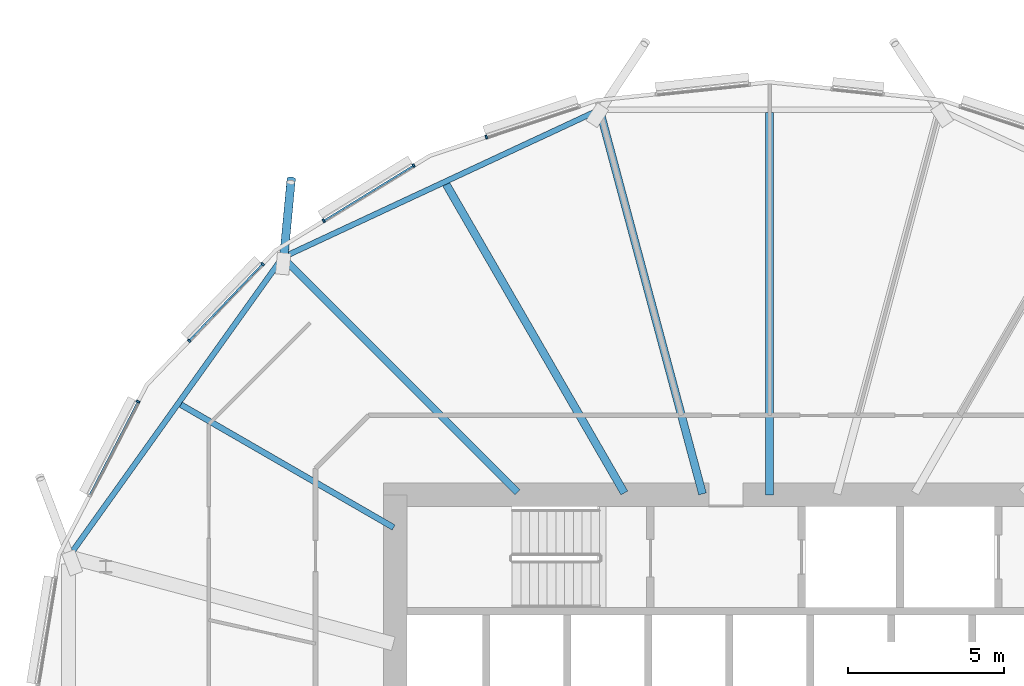
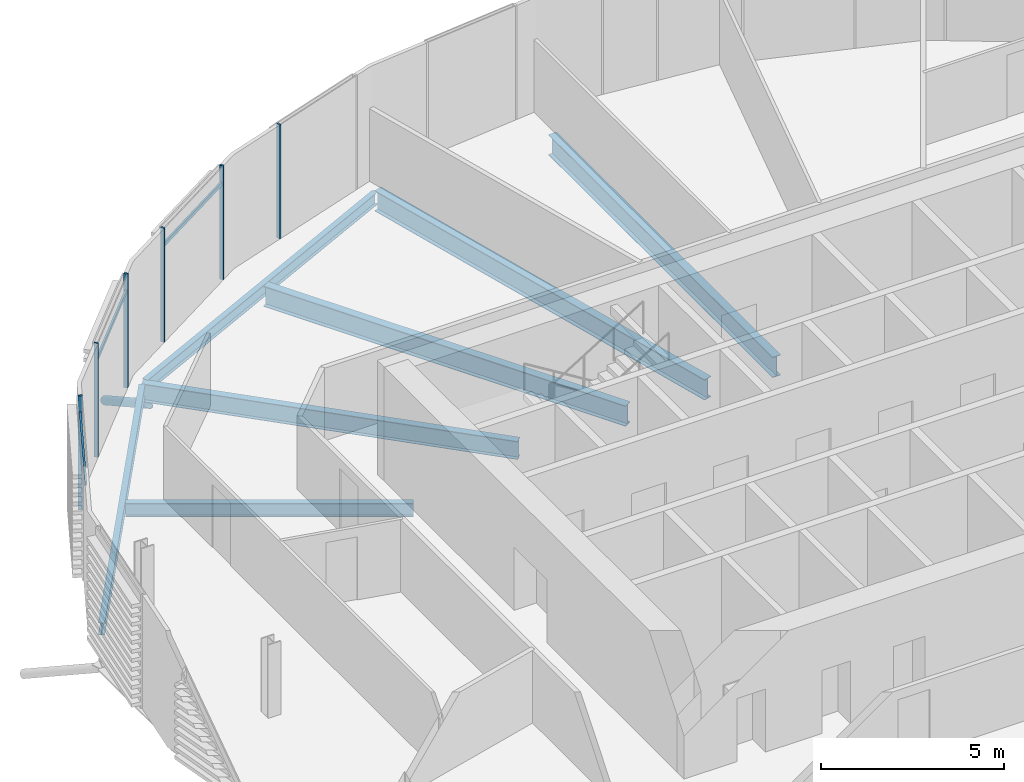
# One storey, part 9 of 40: 10 members, 7 beams, 1 element without a shape of its own.
"""IFC4 building model written with IfcOpenShell, lengths in metres."""

from ifc_helpers import new_model, si_unit, direction, frame, origin, origin_2d, place, context, subcontext, project, spatial, rectangle, hollow_circle, i_section, extrude, clip, halfspace, material, material_profile, profile_set, type_object, element, aggregate, save


model = new_model("IFC4")

# Units and contexts
model_context = context("Model", 3, precision=1e-05, world=origin(), true_north=direction((0.0, 1.0)))
body_context = subcontext(model_context, "Body", "Model", "MODEL_VIEW")
ifc_project = project(units=[si_unit("LENGTHUNIT", "METRE"), si_unit("AREAUNIT", "SQUARE_METRE"), si_unit("VOLUMEUNIT", "CUBIC_METRE"), si_unit("PLANEANGLEUNIT", "RADIAN"), si_unit("MASSUNIT", "GRAM", prefix="KILO")], contexts=[model_context])

# Site, building, storey
site_placement = place(None, origin())
site = spatial("IfcSite", under=ifc_project, at=site_placement, CompositionType="ELEMENT")
building_placement = place(site_placement, origin())
building = spatial("IfcBuilding", under=site, at=building_placement, Name="Rimbun Link Towers", CompositionType="ELEMENT")
storey_placement = place(building_placement, frame((0.0, 0.0, 89.199951171875)))
storey = spatial("IfcBuildingStorey", under=building, at=storey_placement, Name="L21", CompositionType="ELEMENT", Elevation=89.199951171875)

# Curtain wall, members
ifc_material_1 = material(Name="Aluminium 6063-T6 and low-iron glass", Category="aluminium")
curtain_wall_type = type_object("IfcCurtainWallType", Name="CW1-Z2 unitised vision wall (zone 2)", PredefinedType="NOTDEFINED", material=ifc_material_1)
curtain_wall_placement = place(storey_placement, origin())
curtain_wall = element("IfcCurtainWall", 1, at=curtain_wall_placement, inside=storey, type_object=curtain_wall_type, Name="CW1 L21 T1", PredefinedType="NOTDEFINED")
ifc_material_2 = material(Name="Aluminium 6063-T6", Category="aluminium")
ifc_material_profile_1 = material_profile(ifc_material_2, rectangle(XDim=0.1201171875, YDim=0.06005859375, at=origin_2d()), Name="MULLION 60X120")
ifc_profile_set_1 = profile_set([ifc_material_profile_1], Name="Aluminium 6063-T6")
member_type_1 = type_object("IfcMemberType", Name="CW1 mullion 60X120", PredefinedType="MULLION", material=ifc_profile_set_1)
member_1_placement = place(storey_placement, frame((-40.8271484375, 19.468017578125, 0.0), z_axis=(0.0, 0.0, 1.0), x_axis=(-0.314576015911, 0.949232284646, 0.0)))
member_1 = element("IfcMember", 2, at=member_1_placement, type_object=member_type_1, Name="CW1 mullion", PredefinedType="MULLION", context=body_context, shape_type="SweptSolid", body=[
    extrude(rectangle(XDim=0.1201171875, YDim=0.06005859375, at=origin_2d()), origin(), (0.0, 0.0, 1.0), 3.800048828125),
])
member_2_placement = place(storey_placement, frame((-46.035888671875, 16.781494140625, 0.0), z_axis=(0.0, 0.0, 1.0), x_axis=(-0.523237248968, 0.852187057689, 0.0)))
member_2 = element("IfcMember", 3, at=member_2_placement, type_object=member_type_1, Name="CW1 mullion", PredefinedType="MULLION", context=body_context, shape_type="SweptSolid", body=[
    extrude(rectangle(XDim=0.1201171875, YDim=0.06005859375, at=origin_2d()), origin(), (0.0, 0.0, 1.0), 3.800048828125),
])
member_3_placement = place(storey_placement, frame((-43.154541015625, 18.550537109375, 0.0), z_axis=(0.0, 0.0, 1.0), x_axis=(-0.523237248968, 0.852187057689, 0.0)))
member_3 = element("IfcMember", 4, at=member_3_placement, type_object=member_type_1, Name="CW1 mullion", PredefinedType="MULLION", context=body_context, shape_type="SweptSolid", body=[
    extrude(rectangle(XDim=0.1201171875, YDim=0.06005859375, at=origin_2d()), origin(), (0.0, 0.0, 1.0), 3.800048828125),
])
member_4_placement = place(storey_placement, frame((-50.3505859375, 12.942138671875, 0.0), z_axis=(0.0, 0.0, 1.0), x_axis=(-0.721839179549, 0.692060834658, 0.0)))
member_4 = element("IfcMember", 5, at=member_4_placement, type_object=member_type_1, Name="CW1 mullion", PredefinedType="MULLION", context=body_context, shape_type="SweptSolid", body=[
    extrude(rectangle(XDim=0.1201171875, YDim=0.06005859375, at=origin_2d()), origin(), (0.0, 0.0, 1.0), 3.800048828125),
])
member_5_placement = place(storey_placement, frame((-47.9970703125, 15.39697265625, 0.0), z_axis=(0.0, 0.0, 1.0), x_axis=(-0.721839179549, 0.692060834658, 0.0)))
member_5 = element("IfcMember", 6, at=member_5_placement, type_object=member_type_1, Name="CW1 mullion", PredefinedType="MULLION", context=body_context, shape_type="SweptSolid", body=[
    extrude(rectangle(XDim=0.1201171875, YDim=0.06005859375, at=origin_2d()), origin(), (0.0, 0.0, 1.0), 3.800048828125),
])
member_6_placement = place(storey_placement, frame((-51.985595703125, 10.98779296875, 0.0), z_axis=(0.0, 0.0, 1.0), x_axis=(-0.888154791602, 0.459544411514, 0.0)))
member_6 = element("IfcMember", 7, at=member_6_placement, type_object=member_type_1, Name="CW1 mullion", PredefinedType="MULLION", context=body_context, shape_type="SweptSolid", body=[
    extrude(rectangle(XDim=0.1201171875, YDim=0.06005859375, at=origin_2d()), origin(), (0.0, 0.0, 1.0), 3.800048828125),
])
ifc_material_3 = material(Name="Aluminium 6063-T6", Category="aluminium")
ifc_material_profile_2 = material_profile(ifc_material_3, rectangle(XDim=0.06005859375, YDim=0.1201171875, at=origin_2d()), Name="TRANSOM 60X120")
ifc_profile_set_2 = profile_set([ifc_material_profile_2], Name="Aluminium 6063-T6")
member_type_2 = type_object("IfcMemberType", Name="CW1 transom 60X120", PredefinedType="USERDEFINED", material=ifc_profile_set_2)
member_7_placement = place(storey_placement, frame((-46.00927734375, 16.79541015625, 3.199951171875), z_axis=(0.852167775137, 0.523268652814, 0.0), x_axis=(-0.523268652814, 0.852167775137, 0.0)))
member_7 = element("IfcMember", 8, at=member_7_placement, type_object=member_type_2, Name="CW1 transom", ObjectType="TRANSOM", PredefinedType="USERDEFINED", context=body_context, shape_type="SweptSolid", body=[
    extrude(rectangle(XDim=0.06005859375, YDim=0.1201171875, at=origin_2d()), origin(), (0.0, 0.0, 1.0), 3.321044921875),
])
member_8_placement = place(storey_placement, frame((-50.328369140625, 12.96240234375, 3.199951171875), z_axis=(0.692078357172, 0.721822379491, 0.0), x_axis=(-0.721822379491, 0.692078357172, 0.0)))
member_8 = element("IfcMember", 9, at=member_8_placement, type_object=member_type_2, Name="CW1 transom", ObjectType="TRANSOM", PredefinedType="USERDEFINED", context=body_context, shape_type="SweptSolid", body=[
    extrude(rectangle(XDim=0.06005859375, YDim=0.1201171875, at=origin_2d()), origin(), (0.0, 0.0, 1.0), 3.340576171875),
])
member_9_placement = place(storey_placement, frame((-53.528076171875, 8.00244140625, 3.199951171875), z_axis=(0.459516653287, 0.888169153569, 0.0), x_axis=(-0.888169153569, 0.459516653287, 0.0)))
member_9 = element("IfcMember", 10, at=member_9_placement, type_object=member_type_2, Name="CW1 transom", ObjectType="TRANSOM", PredefinedType="USERDEFINED", context=body_context, shape_type="SweptSolid", body=[
    extrude(rectangle(XDim=0.06005859375, YDim=0.1201171875, at=origin_2d()), origin(), (0.0, 0.0, 1.0), 3.330078125),
])
aggregate(curtain_wall, [member_1, member_2, member_3, member_4, member_5, member_6, member_7, member_8, member_9])

# Member
ifc_material_4 = material(Name="Steel S355J2H", Category="steel")
ifc_material_profile_3 = material_profile(ifc_material_4, hollow_circle(Radius=0.136474609375, WallThickness=0.012451171875, at=origin_2d()), Name="CHS 273x12.5")
ifc_profile_set_3 = profile_set([ifc_material_profile_3], Name="Steel S355J2H")
member_type_3 = type_object("IfcMemberType", Name="Floor edge link CHS 273x12.5", PredefinedType="BRACE", material=ifc_profile_set_3)
member_10_placement = place(storey_placement, frame((-47.3212890625, 15.5712890625, -0.879638671875), z_axis=(0.081277343799, 0.855132698816, -0.511998106247), x_axis=(-0.995513459543, 0.094620039462, 0.0)))
element("IfcMember", 11, at=member_10_placement, inside=storey, type_object=member_type_3, Name="Floor edge link T1 L21 09", PredefinedType="BRACE", context=body_context, shape_type="Clipping", body=[
    clip(extrude(hollow_circle(Radius=0.136474609375, WallThickness=0.012451171875, at=origin_2d()), frame((0.0, 0.0, -0.4775390625)), (0.0, 0.0, 1.0), 3.457275390625), halfspace(frame((0.0, 0.0, -0.224853515625), z_axis=(0.0, 0.858986576845, -0.511998106247)), False)),
])

# Beams
ifc_material_5 = material(Name="Steel S355J2", Category="steel")
ifc_material_profile_4 = material_profile(ifc_material_5, i_section(OverallWidth=0.177978515625, OverallDepth=0.406494140625, WebThickness=0.0078125, FlangeThickness=0.0126953125, at=origin_2d()), Name="UB 406x178x60")
ifc_profile_set_4 = profile_set([ifc_material_profile_4], Name="Steel S355J2")
beam_type_1 = type_object("IfcBeamType", Name="UB 406x178x60", PredefinedType="BEAM", material=ifc_profile_set_4)
beam_1_placement = place(storey_placement, frame((-37.31787109375, 20.285888671875, -0.363037109375), z_axis=(-0.906374937351, -0.422474227548, 0.0), x_axis=(0.422474227548, -0.906374937351, 0.0)))
element("IfcBeam", 12, at=beam_1_placement, inside=storey, type_object=beam_type_1, Name="Edge beam T1 L21 07-09", PredefinedType="BEAM", context=body_context, shape_type="SweptSolid", body=[
    extrude(i_section(OverallWidth=0.177978515625, OverallDepth=0.406494140625, WebThickness=0.0078125, FlangeThickness=0.0126953125, at=origin_2d()), origin(), (0.0, 0.0, 1.0), 10.953857421875),
])
beam_2_placement = place(storey_placement, frame((-47.42431640625, 15.51220703125, -0.363037109375), z_axis=(-0.581371564961, -0.813638189525, 0.0), x_axis=(0.813638189525, -0.581371564961, 0.0)))
element("IfcBeam", 13, at=beam_2_placement, inside=storey, type_object=beam_type_1, Name="Edge beam T1 L21 09-11", PredefinedType="BEAM", context=body_context, shape_type="SweptSolid", body=[
    extrude(i_section(OverallWidth=0.177978515625, OverallDepth=0.406494140625, WebThickness=0.0078125, FlangeThickness=0.0126953125, at=origin_2d()), origin(), (0.0, 0.0, 1.0), 11.427734375),
])
ifc_material_6 = material(Name="Steel S355J2", Category="steel")
ifc_material_profile_5 = material_profile(ifc_material_6, i_section(OverallWidth=0.18994140625, OverallDepth=0.453369140625, WebThickness=0.008544921875, FlangeThickness=0.0126953125, at=origin_2d()), Name="UB 457x191x67")
ifc_profile_set_5 = profile_set([ifc_material_profile_5], Name="Steel S355J2")
beam_type_2 = type_object("IfcBeamType", Name="UB 457x191x67", PredefinedType="BEAM", material=ifc_profile_set_5)
beam_3_placement = place(storey_placement, frame((-43.79833984375, 6.9560546875, -0.38671875), z_axis=(-0.866014617025, 0.50001868275, 0.0), x_axis=(-0.50001868275, -0.866014617025, 0.0)))
element("IfcBeam", 14, at=beam_3_placement, inside=storey, type_object=beam_type_2, Name="Radial beam T1 L21 10", PredefinedType="BEAM", context=body_context, shape_type="SweptSolid", body=[
    extrude(i_section(OverallWidth=0.18994140625, OverallDepth=0.453369140625, WebThickness=0.008544921875, FlangeThickness=0.0126953125, at=origin_2d()), origin(), (0.0, 0.0, 1.0), 7.871337890625),
])
ifc_material_7 = material(Name="Steel S355J2", Category="steel")
ifc_material_profile_6 = material_profile(ifc_material_7, i_section(OverallWidth=0.2275390625, OverallDepth=0.6025390625, WebThickness=0.010498046875, FlangeThickness=0.014892578125, at=origin_2d()), Name="UB 610x229x101")
ifc_profile_set_6 = profile_set([ifc_material_profile_6], Name="Steel S355J2")
beam_type_3 = type_object("IfcBeamType", Name="UB 610x229x101", PredefinedType="BEAM", material=ifc_profile_set_6)
beam_4_placement = place(storey_placement, frame((-39.831298828125, 8.081298828125, -0.461181640625), z_axis=(-0.707106781187, 0.707106781187, 0.0), x_axis=(-0.707106781187, -0.707106781187, 0.0)))
element("IfcBeam", 15, at=beam_4_placement, inside=storey, type_object=beam_type_3, Name="Radial beam T1 L21 09", PredefinedType="BEAM", context=body_context, shape_type="SweptSolid", body=[
    extrude(i_section(OverallWidth=0.2275390625, OverallDepth=0.6025390625, WebThickness=0.010498046875, FlangeThickness=0.014892578125, at=origin_2d()), origin(), (0.0, 0.0, 1.0), 10.642578125),
])
ifc_material_8 = material(Name="Steel S355J2", Category="steel")
ifc_material_profile_7 = material_profile(ifc_material_8, i_section(OverallWidth=0.253662109375, OverallDepth=0.68359375, WebThickness=0.012451171875, FlangeThickness=0.01904296875, at=origin_2d()), Name="UB 686x254x140")
ifc_profile_set_7 = profile_set([ifc_material_profile_7], Name="Steel S355J2")
beam_type_4 = type_object("IfcBeamType", Name="UB 686x254x140", PredefinedType="BEAM", material=ifc_profile_set_7)
beam_5_placement = place(storey_placement, frame((-31.75, 8.0009765625, -0.501708984375), z_axis=(0.0, 1.0, 0.0), x_axis=(-1.0, 0.0, 0.0)))
element("IfcBeam", 16, at=beam_5_placement, inside=storey, type_object=beam_type_4, Name="Radial beam T1 L21 06", PredefinedType="BEAM", context=body_context, shape_type="SweptSolid", body=[
    extrude(i_section(OverallWidth=0.253662109375, OverallDepth=0.68359375, WebThickness=0.012451171875, FlangeThickness=0.01904296875, at=origin_2d()), origin(), (0.0, 0.0, 1.0), 12.249755859375),
])
beam_6_placement = place(storey_placement, frame((-33.902587890625, 8.03369140625, -0.501708984375), z_axis=(-0.258818136153, 0.965926069841, 0.0), x_axis=(-0.965926069841, -0.258818136153, 0.0)))
element("IfcBeam", 17, at=beam_6_placement, inside=storey, type_object=beam_type_4, Name="Radial beam T1 L21 07", PredefinedType="BEAM", context=body_context, shape_type="SweptSolid", body=[
    extrude(i_section(OverallWidth=0.253662109375, OverallDepth=0.68359375, WebThickness=0.012451171875, FlangeThickness=0.01904296875, at=origin_2d()), origin(), (0.0, 0.0, 1.0), 12.740966796875),
])
beam_7_placement = place(storey_placement, frame((-36.406005859375, 8.064208984375, -0.501708984375), z_axis=(-0.499984701234, 0.866034236351, 0.0), x_axis=(-0.866034236351, -0.499984701234, 0.0)))
element("IfcBeam", 18, at=beam_7_placement, inside=storey, type_object=beam_type_4, Name="Radial beam T1 L21 08", PredefinedType="BEAM", context=body_context, shape_type="SweptSolid", body=[
    extrude(i_section(OverallWidth=0.253662109375, OverallDepth=0.68359375, WebThickness=0.012451171875, FlangeThickness=0.01904296875, at=origin_2d()), origin(), (0.0, 0.0, 1.0), 11.416259765625),
])

save(model, "model.ifc")
